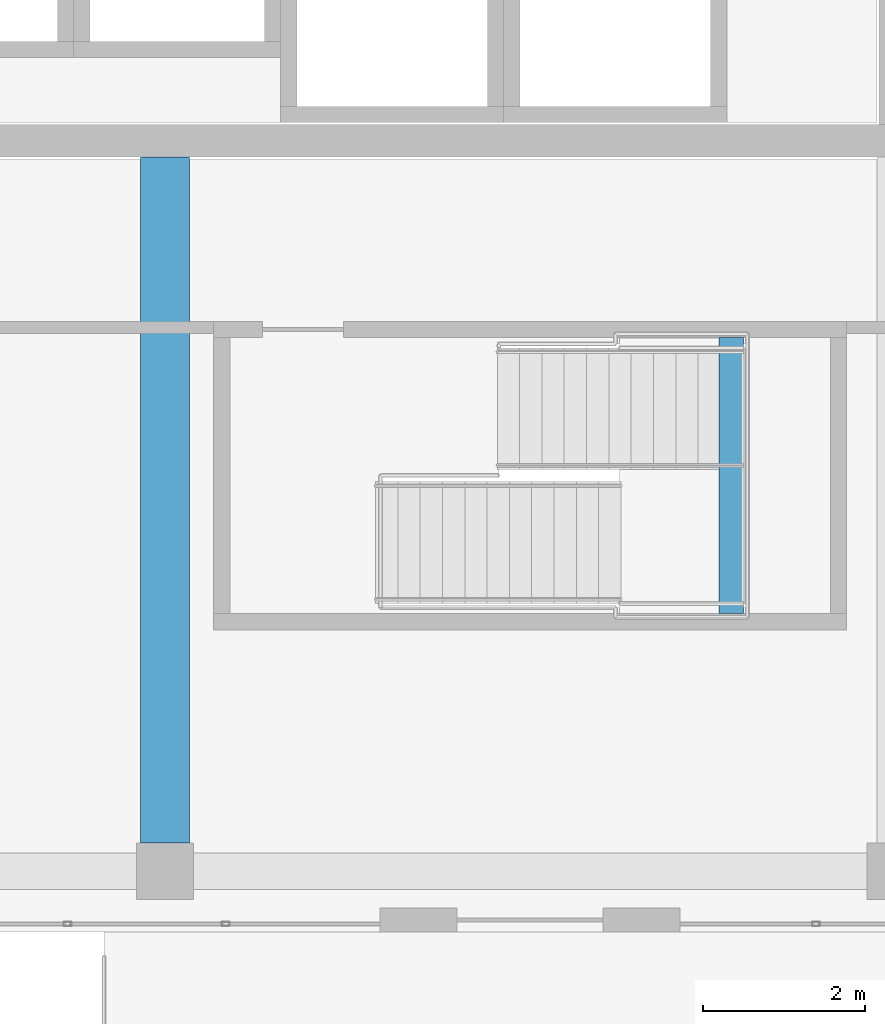
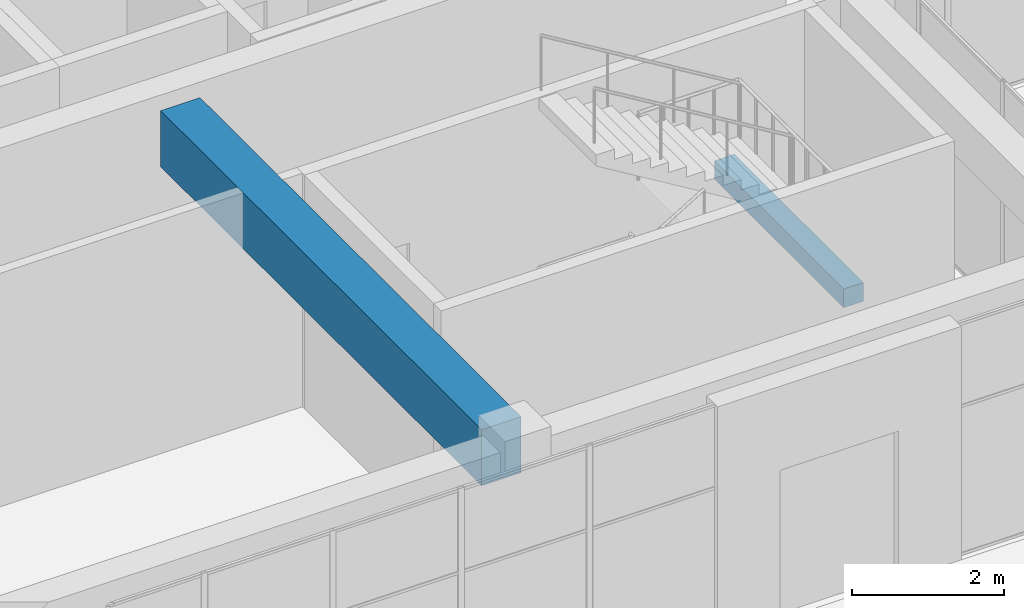
# One storey, part 22 of 49: 2 beams.
"""IFC4 building model written with IfcOpenShell, lengths in metres."""

from ifc_helpers import new_model, si_unit, direction, frame, origin, origin_2d, place, context, subcontext, project, spatial, rectangle, extrude, material, material_profile, profile_set, type_object, element, save


model = new_model("IFC4")

# Units and contexts
model_context = context("Model", 3, precision=1e-05, world=origin(), true_north=direction((0.0, 1.0)))
body_context = subcontext(model_context, "Body", "Model", "MODEL_VIEW")
ifc_project = project(units=[si_unit("LENGTHUNIT", "METRE"), si_unit("AREAUNIT", "SQUARE_METRE"), si_unit("VOLUMEUNIT", "CUBIC_METRE"), si_unit("PLANEANGLEUNIT", "RADIAN"), si_unit("MASSUNIT", "GRAM", prefix="KILO")], contexts=[model_context])

# Site, building, storey
site_placement = place(None, origin())
site = spatial("IfcSite", under=ifc_project, at=site_placement, CompositionType="ELEMENT")
building_placement = place(site_placement, origin())
building = spatial("IfcBuilding", under=site, at=building_placement, Name="Tuart Plaza Theatre", CompositionType="ELEMENT")
storey_placement = place(building_placement, frame((0.0, 0.0, 29.5)))
storey = spatial("IfcBuildingStorey", under=building, at=storey_placement, Name="L07", CompositionType="ELEMENT", Elevation=29.5)

# Beams
ifc_material_1 = material(Name="Concrete N40 (40 MPa)", Category="concrete")
ifc_material_profile_1 = material_profile(ifc_material_1, rectangle(XDim=0.300048828125, YDim=0.300048828125, at=origin_2d()), Name="BEAM 300x300 Concrete N40 (40 MPa)")
ifc_profile_set_1 = profile_set([ifc_material_profile_1], Name="Concrete N40 (40 MPa)")
beam_type_1 = type_object("IfcBeamType", Name="BEAM 300x300 Concrete N40 (40 MPa)", PredefinedType="BEAM", material=ifc_profile_set_1)
beam_1_placement = place(storey_placement, frame((138.97998046875, 59.175048828125, 1.64990234375), z_axis=(0.0, 1.0, 0.0), x_axis=(-1.0, 0.0, 0.0)))
element("IfcBeam", 1, at=beam_1_placement, inside=storey, type_object=beam_type_1, Name="RB503", PredefinedType="BEAM", context=body_context, shape_type="SweptSolid", body=[
    extrude(rectangle(XDim=0.300048828125, YDim=0.300048828125, at=origin_2d()), origin(), (0.0, 0.0, 1.0), 3.39990234375),
])
ifc_material_2 = material(Name="Concrete N40 (40 MPa)", Category="concrete")
ifc_material_profile_2 = material_profile(ifc_material_2, rectangle(XDim=0.60009765625, YDim=0.89990234375, at=origin_2d()), Name="BEAM 600x900 Concrete N40 (40 MPa)")
ifc_profile_set_2 = profile_set([ifc_material_profile_2], Name="Concrete N40 (40 MPa)")
beam_type_2 = type_object("IfcBeamType", Name="BEAM 600x900 Concrete N40 (40 MPa)", PredefinedType="BEAM", material=ifc_profile_set_2)
beam_2_placement = place(storey_placement, frame((132.0, 56.35009765625, 3.300048828125), z_axis=(0.0, 1.0, 0.0), x_axis=(-1.0, 0.0, 0.0)))
element("IfcBeam", 2, at=beam_2_placement, inside=storey, type_object=beam_type_2, Name="RB268", PredefinedType="BEAM", context=body_context, shape_type="SweptSolid", body=[
    extrude(rectangle(XDim=0.60009765625, YDim=0.89990234375, at=origin_2d()), origin(), (0.0, 0.0, 1.0), 8.449951171875),
])

save(model, "model.ifc")
